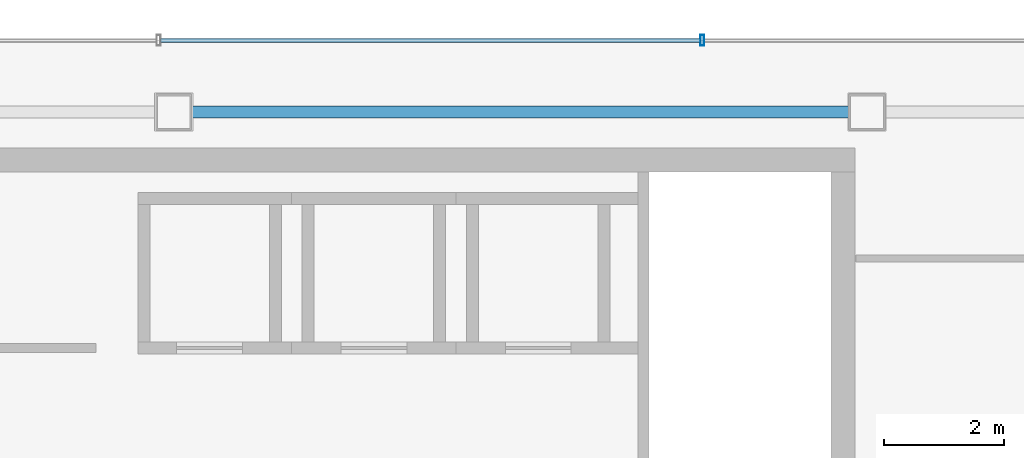
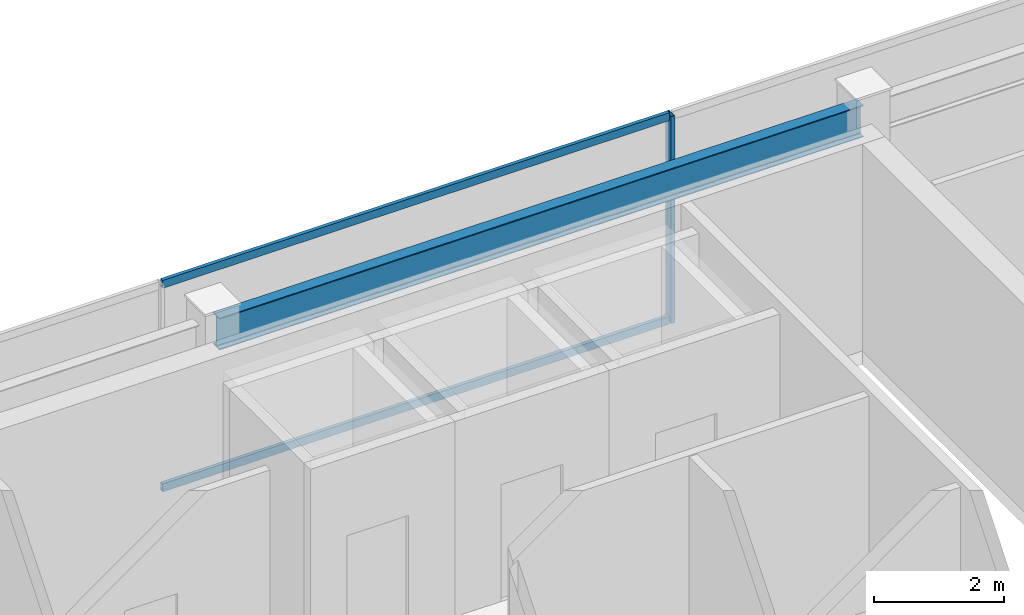
# One storey, part 11 of 17: 3 members, 1 beam, 1 element without a shape of its own.
"""IFC4 building model written with IfcOpenShell, lengths in metres."""

from ifc_helpers import new_model, si_unit, direction, frame, origin, origin_2d, place, context, subcontext, project, spatial, hollow_rectangle, i_section, extrude, material, material_profile, profile_set, type_object, element, aggregate, save


model = new_model("IFC4")

# Units and contexts
model_context = context("Model", 3, precision=1e-05, world=origin(), true_north=direction((0.0, 1.0)))
body_context = subcontext(model_context, "Body", "Model", "MODEL_VIEW")
ifc_project = project(units=[si_unit("LENGTHUNIT", "METRE"), si_unit("AREAUNIT", "SQUARE_METRE"), si_unit("VOLUMEUNIT", "CUBIC_METRE"), si_unit("PLANEANGLEUNIT", "RADIAN"), si_unit("MASSUNIT", "GRAM", prefix="KILO")], contexts=[model_context])

# Site, building, storey
site_placement = place(None, origin())
site = spatial("IfcSite", under=ifc_project, at=site_placement, CompositionType="ELEMENT")
building_placement = place(site_placement, origin())
building = spatial("IfcBuilding", under=site, at=building_placement, Name="Saevonmaru Cultural Tower", CompositionType="ELEMENT")
storey_placement = place(building_placement, frame((0.0, 0.0, 323.39990234375)))
storey = spatial("IfcBuildingStorey", under=building, at=storey_placement, Name="L77", CompositionType="ELEMENT", Elevation=323.39990234375)

# Beam
ifc_material_1 = material(Name="Steel SM355", Category="steel")
ifc_material_profile_1 = material_profile(ifc_material_1, i_section(OverallWidth=0.199951171875, OverallDepth=0.60009765625, WebThickness=0.010986328125, FlangeThickness=0.01708984375, FilletRadius=0.02197265625, at=origin_2d()), Name="H-600x200x11x17")
ifc_profile_set_1 = profile_set([ifc_material_profile_1], Name="Steel SM355")
beam_type = type_object("IfcBeamType", Name="BM-SP-H600", PredefinedType="SPANDREL", material=ifc_profile_set_1)
beam_placement = place(storey_placement, frame((34.860107421875, 54.800048828125, 3.60009765625), z_axis=(1.0, 0.0, 0.0), x_axis=(0.0, 1.0, 0.0)))
element("IfcBeam", 1, at=beam_placement, inside=storey, type_object=beam_type, Name="L77 North Spine Girder 4", PredefinedType="SPANDREL", context=body_context, shape_type="SweptSolid", body=[
    extrude(i_section(OverallWidth=0.199951171875, OverallDepth=0.60009765625, WebThickness=0.010986328125, FlangeThickness=0.01708984375, FilletRadius=0.02197265625, at=origin_2d()), origin(), (0.0, 0.0, 1.0), 11.47998046875),
])

# Curtain wall, members
ifc_material_2 = material(Name="Satin Bronze Anodised Aluminium", Category="aluminium")
curtain_wall_type = type_object("IfcCurtainWallType", Name="CW-SKY-GLZ", PredefinedType="NOTDEFINED", material=ifc_material_2)
curtain_wall_placement = place(storey_placement, origin())
curtain_wall = element("IfcCurtainWall", 2, at=curtain_wall_placement, inside=storey, type_object=curtain_wall_type, Name="L77 Unitised Curtain Wall E10", PredefinedType="NOTDEFINED")
ifc_material_profile_2 = material_profile(ifc_material_2, hollow_rectangle(XDim=0.06494140625, YDim=0.179931640625, WallThickness=0.00390625, at=origin_2d()), Name="ALU-MULL-180x65x4")
ifc_profile_set_2 = profile_set([ifc_material_profile_2], Name="Satin Bronze Anodised Aluminium")
member_type_1 = type_object("IfcMemberType", Name="ML-CW-180x65", PredefinedType="MULLION", material=ifc_profile_set_2)
member_1_placement = place(storey_placement, frame((43.64404296875, 56.0, 0.0), z_axis=(0.0, 0.0, 1.0), x_axis=(-1.0, 0.0, 0.0)))
member_1 = element("IfcMember", 3, at=member_1_placement, type_object=member_type_1, Name="CW-TW-L77-E10 mullion 2", PredefinedType="MULLION", context=body_context, shape_type="SweptSolid", body=[
    extrude(hollow_rectangle(XDim=0.06494140625, YDim=0.179931640625, WallThickness=0.00390625, at=origin_2d()), origin(), (0.0, 0.0, 1.0), 3.900146484375),
])
ifc_material_profile_3 = material_profile(ifc_material_2, hollow_rectangle(XDim=0.06494140625, YDim=0.14990234375, WallThickness=0.00390625, at=origin_2d()), Name="ALU-TRAN-150x65x4")
ifc_profile_set_3 = profile_set([ifc_material_profile_3], Name="Satin Bronze Anodised Aluminium")
member_type_2 = type_object("IfcMemberType", Name="TR-CW-150x65", PredefinedType="USERDEFINED", material=ifc_profile_set_3)
member_2_placement = place(storey_placement, frame((43.611572265625, 56.0, 0.03271484375), z_axis=(-1.0, 0.0, 0.0), x_axis=(0.0, -1.0, 0.0)))
member_2 = element("IfcMember", 4, at=member_2_placement, type_object=member_type_2, Name="CW-TW-L77-E10 transom 2.1", ObjectType="TRANSOM", PredefinedType="USERDEFINED", context=body_context, shape_type="SweptSolid", body=[
    extrude(hollow_rectangle(XDim=0.06494140625, YDim=0.14990234375, WallThickness=0.00390625, at=origin_2d()), origin(), (0.0, 0.0, 1.0), 9.031005859375),
])
member_3_placement = place(storey_placement, frame((43.611572265625, 56.0, 3.86767578125), z_axis=(-1.0, 0.0, 0.0), x_axis=(0.0, -1.0, 0.0)))
member_3 = element("IfcMember", 5, at=member_3_placement, type_object=member_type_2, Name="CW-TW-L77-E10 transom 2.2", ObjectType="TRANSOM", PredefinedType="USERDEFINED", context=body_context, shape_type="SweptSolid", body=[
    extrude(hollow_rectangle(XDim=0.06494140625, YDim=0.14990234375, WallThickness=0.00390625, at=origin_2d()), origin(), (0.0, 0.0, 1.0), 9.031005859375),
])
aggregate(curtain_wall, [member_1, member_2, member_3])

save(model, "model.ifc")
